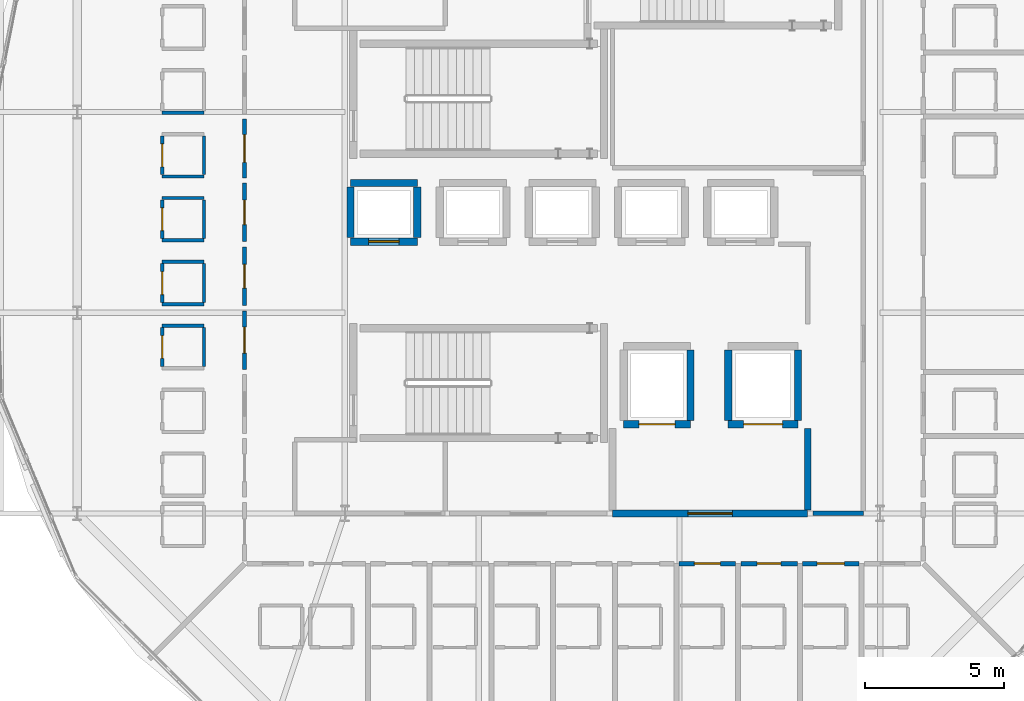
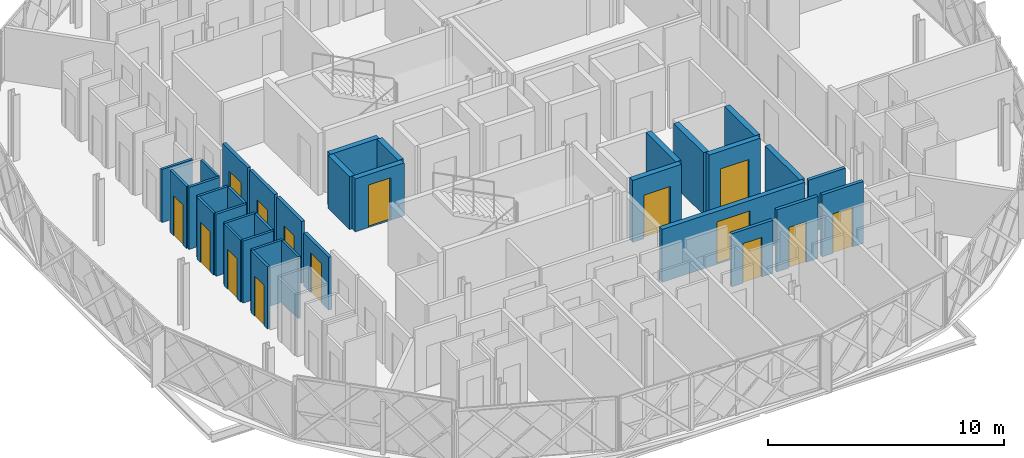
# One storey, part 30 of 40: 34 walls, 15 doors, 15 openings.
"""IFC4 building model written with IfcOpenShell, lengths in metres."""

from ifc_helpers import new_model, si_unit, direction, frame, frame_2d, origin, place, context, subcontext, project, spatial, rectangle, extrude, material, layer, layer_set, type_object, element, fill, save


model = new_model("IFC4")

# Units and contexts
model_context = context("Model", 3, precision=1e-05, world=origin(), true_north=direction((0.0, 1.0)))
body_context = subcontext(model_context, "Body", "Model", "MODEL_VIEW")
ifc_project = project(units=[si_unit("LENGTHUNIT", "METRE"), si_unit("AREAUNIT", "SQUARE_METRE"), si_unit("VOLUMEUNIT", "CUBIC_METRE"), si_unit("PLANEANGLEUNIT", "RADIAN"), si_unit("MASSUNIT", "GRAM", prefix="KILO")], contexts=[model_context])

# Site, building, storey
site_placement = place(None, origin())
site = spatial("IfcSite", under=ifc_project, at=site_placement, CompositionType="ELEMENT")
building_placement = place(site_placement, origin())
building = spatial("IfcBuilding", under=site, at=building_placement, Name="Zevrakil Square Congress Hotel", CompositionType="ELEMENT")
storey_placement = place(building_placement, frame((0.0, 0.0, 18.10009765625)))
storey = spatial("IfcBuildingStorey", under=building, at=storey_placement, Name="L05", CompositionType="ELEMENT", Elevation=18.10009765625)

# Wall, opening, door
ifc_material_1 = material(Name="Concrete C35/45", Category="concrete")
ifc_layer_1 = layer(ifc_material_1, 0.239990234375)
ifc_layer_set_1 = layer_set([ifc_layer_1], Name="Concrete C35/45")
wall_type_1 = type_object("IfcWallType", Name="WAL-COMP-240", PredefinedType="SOLIDWALL", material=ifc_layer_set_1)
wall_1_placement = place(storey_placement, frame((146.39990234375, 16.800048828125, 0.0), z_axis=(0.0, 0.0, 1.0), x_axis=(1.0, 0.0, 0.0)))
wall_1 = element("IfcWall", 1, at=wall_1_placement, inside=storey, type_object=wall_type_1, Name="L05 interior partition PW-L05-0455", PredefinedType="SOLIDWALL", context=body_context, shape_type="SweptSolid", body=[
    extrude(rectangle(XDim=7.0, YDim=0.239990234375, at=frame_2d((3.5, 0.0))), origin(), (0.0, 0.0, 1.0), 2.744873046875),
])
opening_1_placement = place(wall_1_placement, frame((2.699951171875, 0.0, 0.0)))
opening_1 = element("IfcOpeningElement", 2, at=opening_1_placement, cuts=wall_1, Name="Opening FD90-D", PredefinedType="OPENING", context=body_context, shape_type="SweptSolid", body=[
    extrude(rectangle(XDim=1.60009765625, YDim=2.199951171875, at=frame_2d((0.800048828125, 1.10009765625))), frame((0.0, 0.1298828125, 0.0), z_axis=(0.0, -1.0, 0.0), x_axis=(1.0, 0.0, 0.0)), (0.0, 0.0, 1.0), 0.260009765625),
])
ifc_material_2 = material(Name="Steel S355 Double Fire Door", Category="steel")
door_type_1 = type_object("IfcDoorType", Name="DOR-FFLOB-FD90-160", OperationType="NOTDEFINED", PredefinedType="DOOR", material=ifc_material_2)
door_1_placement = place(opening_1_placement, origin())
door_1 = element("IfcDoor", 3, at=door_1_placement, inside=storey, type_object=door_type_1, Name="L05 interior door 185", OperationType="DOUBLE_DOOR_SINGLE_SWING", OverallHeight=2.199951171875, OverallWidth=1.60009765625, PredefinedType="DOOR", context=body_context, shape_type="SweptSolid", body=[
    extrude(rectangle(XDim=1.60009765625, YDim=2.199951171875, at=frame_2d((0.800048828125, 1.10009765625))), frame((0.0, 0.02490234375, 0.0), z_axis=(0.0, -1.0, 0.0), x_axis=(1.0, 0.0, 0.0)), (0.0, 0.0, 1.0), 0.050048828125),
])
fill(opening_1, door_1)

# Walls
wall_2_placement = place(storey_placement, frame((153.39990234375, 16.925048828125, 0.0), z_axis=(0.0, 0.0, 1.0), x_axis=(0.0, 1.0, 0.0)))
element("IfcWall", 4, at=wall_2_placement, inside=storey, type_object=wall_type_1, Name="L05 interior partition PW-L05-0457", PredefinedType="SOLIDWALL", context=body_context, shape_type="SweptSolid", body=[
    extrude(rectangle(XDim=2.925048828125, YDim=0.239990234375, at=frame_2d((1.46240234375, 0.0))), origin(), (0.0, 0.0, 1.0), 2.744873046875),
])
ifc_material_3 = material(Name="Gypsum Acoustic Stud Partition")
ifc_layer_2 = layer(ifc_material_3, 0.159912109375)
ifc_layer_set_2 = layer_set([ifc_layer_2], Name="Gypsum Acoustic Stud Partition")
wall_type_2 = type_object("IfcWallType", Name="WAL-CORR-160", PredefinedType="PARTITIONING", material=ifc_layer_set_2)
wall_3_placement = place(storey_placement, frame((153.60009765625, 16.800048828125, 0.0), z_axis=(0.0, 0.0, 1.0), x_axis=(1.0, 0.0, 0.0)))
element("IfcWall", 5, at=wall_3_placement, inside=storey, type_object=wall_type_2, Name="L05 interior partition PW-L05-0471", PredefinedType="PARTITIONING", context=body_context, shape_type="SweptSolid", body=[
    extrude(rectangle(XDim=1.7998046875, YDim=0.159912109375, at=frame_2d((0.89990234375, 0.0))), origin(), (0.0, 0.0, 1.0), 2.744873046875),
])

# Wall, opening, door
wall_4_placement = place(storey_placement, frame((148.79052734375, 15.0, 0.0), z_axis=(0.0, 0.0, 1.0), x_axis=(1.0, 0.0, 0.0)))
wall_4 = element("IfcWall", 6, at=wall_4_placement, inside=storey, type_object=wall_type_2, Name="L05 interior partition PW-L05-0514", PredefinedType="PARTITIONING", context=body_context, shape_type="SweptSolid", body=[
    extrude(rectangle(XDim=2.023681640625, YDim=0.159912109375, at=frame_2d((1.01171875, 0.0))), origin(), (0.0, 0.0, 1.0), 2.744873046875),
])
opening_2_placement = place(wall_4_placement, frame((0.546875, 0.0, 0.0)))
opening_2 = element("IfcOpeningElement", 7, at=opening_2_placement, cuts=wall_4, Name="Opening ID-G04", PredefinedType="OPENING", context=body_context, shape_type="SweptSolid", body=[
    extrude(rectangle(XDim=0.929931640625, YDim=2.050048828125, at=frame_2d((0.46484375, 1.02490234375))), frame((0.0, 0.08984375, 0.0), z_axis=(0.0, -1.0, 0.0), x_axis=(1.0, 0.0, 0.0)), (0.0, 0.0, 1.0), 0.179931640625),
])
ifc_material_4 = material(Name="Acoustic Timber Fire Door", Category="wood")
door_type_2 = type_object("IfcDoorType", Name="DOR-INT-G04", OperationType="NOTDEFINED", PredefinedType="DOOR", material=ifc_material_4)
door_2_placement = place(opening_2_placement, origin())
door_2 = element("IfcDoor", 8, at=door_2_placement, inside=storey, type_object=door_type_2, Name="L05 interior door 206", OperationType="SINGLE_SWING_RIGHT", OverallHeight=2.050048828125, OverallWidth=0.929931640625, PredefinedType="DOOR", context=body_context, shape_type="SweptSolid", body=[
    extrude(rectangle(XDim=0.929931640625, YDim=2.050048828125, at=frame_2d((0.46484375, 1.02490234375))), frame((0.0, 0.02490234375, 0.0), z_axis=(0.0, -1.0, 0.0), x_axis=(1.0, 0.0, 0.0)), (0.0, 0.0, 1.0), 0.050048828125),
])
fill(opening_2, door_2)

wall_5_placement = place(storey_placement, frame((151.004150390625, 15.0, 0.0), z_axis=(0.0, 0.0, 1.0), x_axis=(1.0, 0.0, 0.0)))
wall_5 = element("IfcWall", 9, at=wall_5_placement, inside=storey, type_object=wall_type_2, Name="L05 interior partition PW-L05-0519", PredefinedType="PARTITIONING", context=body_context, shape_type="SweptSolid", body=[
    extrude(rectangle(XDim=2.0234375, YDim=0.159912109375, at=frame_2d((1.01171875, 0.0))), origin(), (0.0, 0.0, 1.0), 3.2099609375),
])
opening_3_placement = place(wall_5_placement, frame((0.585693359375, 0.0, 0.0)))
opening_3 = element("IfcOpeningElement", 10, at=opening_3_placement, cuts=wall_5, Name="Opening ID-H01", PredefinedType="OPENING", context=body_context, shape_type="SweptSolid", body=[
    extrude(rectangle(XDim=0.85205078125, YDim=2.10009765625, at=frame_2d((0.426025390625, 1.050048828125))), frame((0.0, 0.08984375, 0.0), z_axis=(0.0, -1.0, 0.0), x_axis=(1.0, 0.0, 0.0)), (0.0, 0.0, 1.0), 0.179931640625),
])
ifc_material_5 = material(Name="Acoustic Timber Fire Door", Category="wood")
door_type_3 = type_object("IfcDoorType", Name="DOR-INT-H01", OperationType="NOTDEFINED", PredefinedType="DOOR", material=ifc_material_5)
door_3_placement = place(opening_3_placement, origin())
door_3 = element("IfcDoor", 11, at=door_3_placement, inside=storey, type_object=door_type_3, Name="L05 interior door 208", OperationType="SINGLE_SWING_RIGHT", OverallHeight=2.10009765625, OverallWidth=0.85205078125, PredefinedType="DOOR", context=body_context, shape_type="SweptSolid", body=[
    extrude(rectangle(XDim=0.85205078125, YDim=2.10009765625, at=frame_2d((0.426025390625, 1.050048828125))), frame((0.0, 0.02490234375, 0.0), z_axis=(0.0, -1.0, 0.0), x_axis=(1.0, 0.0, 0.0)), (0.0, 0.0, 1.0), 0.050048828125),
])
fill(opening_3, door_3)

wall_6_placement = place(storey_placement, frame((153.2177734375, 15.0, 0.0), z_axis=(0.0, 0.0, 1.0), x_axis=(1.0, 0.0, 0.0)))
wall_6 = element("IfcWall", 12, at=wall_6_placement, inside=storey, type_object=wall_type_2, Name="L05 interior partition PW-L05-0524", PredefinedType="PARTITIONING", context=body_context, shape_type="SweptSolid", body=[
    extrude(rectangle(XDim=2.023681640625, YDim=0.159912109375, at=frame_2d((1.01171875, 0.0))), origin(), (0.0, 0.0, 1.0), 3.2099609375),
])
opening_4_placement = place(wall_6_placement, frame((0.521728515625, 0.0, 0.0)))
opening_4 = element("IfcOpeningElement", 13, at=opening_4_placement, cuts=wall_6, Name="Opening ID-G06", PredefinedType="OPENING", context=body_context, shape_type="SweptSolid", body=[
    extrude(rectangle(XDim=0.97998046875, YDim=2.050048828125, at=frame_2d((0.489990234375, 1.02490234375))), frame((0.0, 0.08984375, 0.0), z_axis=(0.0, -1.0, 0.0), x_axis=(1.0, 0.0, 0.0)), (0.0, 0.0, 1.0), 0.179931640625),
])
ifc_material_6 = material(Name="Acoustic Timber Fire Door", Category="wood")
door_type_4 = type_object("IfcDoorType", Name="DOR-INT-G06", OperationType="NOTDEFINED", PredefinedType="DOOR", material=ifc_material_6)
door_4_placement = place(opening_4_placement, origin())
door_4 = element("IfcDoor", 14, at=door_4_placement, inside=storey, type_object=door_type_4, Name="L05 interior door 210", OperationType="SINGLE_SWING_RIGHT", OverallHeight=2.050048828125, OverallWidth=0.97998046875, PredefinedType="DOOR", context=body_context, shape_type="SweptSolid", body=[
    extrude(rectangle(XDim=0.97998046875, YDim=2.050048828125, at=frame_2d((0.489990234375, 1.02490234375))), frame((0.0, 0.02490234375, 0.0), z_axis=(0.0, -1.0, 0.0), x_axis=(1.0, 0.0, 0.0)), (0.0, 0.0, 1.0), 0.050048828125),
])
fill(opening_4, door_4)

wall_7_placement = place(storey_placement, frame((133.199951171875, 28.840576171875, 0.0), z_axis=(0.0, 0.0, 1.0), x_axis=(0.0, 1.0, 0.0)))
wall_7 = element("IfcWall", 15, at=wall_7_placement, inside=storey, type_object=wall_type_2, Name="L05 interior partition PW-L05-0652", PredefinedType="PARTITIONING", context=body_context, shape_type="SweptSolid", body=[
    extrude(rectangle(XDim=2.100830078125, YDim=0.159912109375, at=frame_2d((1.05029296875, 0.0))), origin(), (0.0, 0.0, 1.0), 3.2099609375),
])
opening_5_placement = place(wall_7_placement, frame((0.552490234375, 0.0, 0.0)))
opening_5 = element("IfcOpeningElement", 16, at=opening_5_placement, cuts=wall_7, Name="Opening ID-H13", PredefinedType="OPENING", context=body_context, shape_type="SweptSolid", body=[
    extrude(rectangle(XDim=0.99609375, YDim=2.10009765625, at=frame_2d((0.498046875, 1.050048828125))), frame((0.0, 0.08984375, 0.0), z_axis=(0.0, -1.0, 0.0), x_axis=(1.0, 0.0, 0.0)), (0.0, 0.0, 1.0), 0.179931640625),
])
ifc_material_7 = material(Name="Acoustic Timber Fire Door", Category="wood")
door_type_5 = type_object("IfcDoorType", Name="DOR-INT-H13", OperationType="NOTDEFINED", PredefinedType="DOOR", material=ifc_material_7)
door_5_placement = place(opening_5_placement, origin())
door_5 = element("IfcDoor", 17, at=door_5_placement, inside=storey, type_object=door_type_5, Name="L05 interior door 260", OperationType="SINGLE_SWING_RIGHT", OverallHeight=2.10009765625, OverallWidth=0.99609375, PredefinedType="DOOR", context=body_context, shape_type="SweptSolid", body=[
    extrude(rectangle(XDim=0.99609375, YDim=2.10009765625, at=frame_2d((0.498046875, 1.050048828125))), frame((0.0, 0.02490234375, 0.0), z_axis=(0.0, -1.0, 0.0), x_axis=(1.0, 0.0, 0.0)), (0.0, 0.0, 1.0), 0.050048828125),
])
fill(opening_5, door_5)

wall_8_placement = place(storey_placement, frame((133.199951171875, 26.549560546875, 0.0), z_axis=(0.0, 0.0, 1.0), x_axis=(0.0, 1.0, 0.0)))
wall_8 = element("IfcWall", 18, at=wall_8_placement, inside=storey, type_object=wall_type_2, Name="L05 interior partition PW-L05-0657", PredefinedType="PARTITIONING", context=body_context, shape_type="SweptSolid", body=[
    extrude(rectangle(XDim=2.100830078125, YDim=0.159912109375, at=frame_2d((1.05029296875, 0.0))), origin(), (0.0, 0.0, 1.0), 3.2099609375),
])
opening_6_placement = place(wall_8_placement, frame((0.6103515625, 0.0, 0.0)))
opening_6 = element("IfcOpeningElement", 19, at=opening_6_placement, cuts=wall_8, Name="Opening ID-G02", PredefinedType="OPENING", context=body_context, shape_type="SweptSolid", body=[
    extrude(rectangle(XDim=0.8798828125, YDim=2.050048828125, at=frame_2d((0.43994140625, 1.02490234375))), frame((0.0, 0.08984375, 0.0), z_axis=(0.0, -1.0, 0.0), x_axis=(1.0, 0.0, 0.0)), (0.0, 0.0, 1.0), 0.179931640625),
])
ifc_material_8 = material(Name="Acoustic Timber Fire Door", Category="wood")
door_type_6 = type_object("IfcDoorType", Name="DOR-INT-G02", OperationType="NOTDEFINED", PredefinedType="DOOR", material=ifc_material_8)
door_6_placement = place(opening_6_placement, origin())
door_6 = element("IfcDoor", 20, at=door_6_placement, inside=storey, type_object=door_type_6, Name="L05 interior door 262", OperationType="SINGLE_SWING_RIGHT", OverallHeight=2.050048828125, OverallWidth=0.8798828125, PredefinedType="DOOR", context=body_context, shape_type="SweptSolid", body=[
    extrude(rectangle(XDim=0.8798828125, YDim=2.050048828125, at=frame_2d((0.43994140625, 1.02490234375))), frame((0.0, 0.02490234375, 0.0), z_axis=(0.0, -1.0, 0.0), x_axis=(1.0, 0.0, 0.0)), (0.0, 0.0, 1.0), 0.050048828125),
])
fill(opening_6, door_6)

wall_9_placement = place(storey_placement, frame((133.199951171875, 24.258544921875, 0.0), z_axis=(0.0, 0.0, 1.0), x_axis=(0.0, 1.0, 0.0)))
wall_9 = element("IfcWall", 21, at=wall_9_placement, inside=storey, type_object=wall_type_2, Name="L05 interior partition PW-L05-0662", PredefinedType="PARTITIONING", context=body_context, shape_type="SweptSolid", body=[
    extrude(rectangle(XDim=2.10107421875, YDim=0.159912109375, at=frame_2d((1.050537109375, 0.0))), origin(), (0.0, 0.0, 1.0), 3.2099609375),
])
opening_7_placement = place(wall_9_placement, frame((0.62451171875, 0.0, 0.0)))
opening_7 = element("IfcOpeningElement", 22, at=opening_7_placement, cuts=wall_9, Name="Opening ID-H01", PredefinedType="OPENING", context=body_context, shape_type="SweptSolid", body=[
    extrude(rectangle(XDim=0.85205078125, YDim=2.10009765625, at=frame_2d((0.426025390625, 1.050048828125))), frame((0.0, 0.08984375, 0.0), z_axis=(0.0, -1.0, 0.0), x_axis=(1.0, 0.0, 0.0)), (0.0, 0.0, 1.0), 0.179931640625),
])
door_7_placement = place(opening_7_placement, origin())
door_7 = element("IfcDoor", 23, at=door_7_placement, inside=storey, type_object=door_type_3, Name="L05 interior door 264", OperationType="SINGLE_SWING_RIGHT", OverallHeight=2.10009765625, OverallWidth=0.85205078125, PredefinedType="DOOR", context=body_context, shape_type="SweptSolid", body=[
    extrude(rectangle(XDim=0.85205078125, YDim=2.10009765625, at=frame_2d((0.426025390625, 1.050048828125))), frame((0.0, 0.02490234375, 0.0), z_axis=(0.0, -1.0, 0.0), x_axis=(1.0, 0.0, 0.0)), (0.0, 0.0, 1.0), 0.050048828125),
])
fill(opening_7, door_7)

wall_10_placement = place(storey_placement, frame((133.199951171875, 21.9677734375, 0.0), z_axis=(0.0, 0.0, 1.0), x_axis=(0.0, 1.0, 0.0)))
wall_10 = element("IfcWall", 24, at=wall_10_placement, inside=storey, type_object=wall_type_2, Name="L05 interior partition PW-L05-0667", PredefinedType="PARTITIONING", context=body_context, shape_type="SweptSolid", body=[
    extrude(rectangle(XDim=2.100830078125, YDim=0.159912109375, at=frame_2d((1.05029296875, 0.0))), origin(), (0.0, 0.0, 1.0), 2.744873046875),
])
opening_8_placement = place(wall_10_placement, frame((0.58544921875, 0.0, 0.0)))
opening_8 = element("IfcOpeningElement", 25, at=opening_8_placement, cuts=wall_10, Name="Opening ID-G04", PredefinedType="OPENING", context=body_context, shape_type="SweptSolid", body=[
    extrude(rectangle(XDim=0.929931640625, YDim=2.050048828125, at=frame_2d((0.46484375, 1.02490234375))), frame((0.0, 0.08984375, 0.0), z_axis=(0.0, -1.0, 0.0), x_axis=(1.0, 0.0, 0.0)), (0.0, 0.0, 1.0), 0.179931640625),
])
door_8_placement = place(opening_8_placement, origin())
door_8 = element("IfcDoor", 26, at=door_8_placement, inside=storey, type_object=door_type_2, Name="L05 interior door 266", OperationType="SINGLE_SWING_RIGHT", OverallHeight=2.050048828125, OverallWidth=0.929931640625, PredefinedType="DOOR", context=body_context, shape_type="SweptSolid", body=[
    extrude(rectangle(XDim=0.929931640625, YDim=2.050048828125, at=frame_2d((0.46484375, 1.02490234375))), frame((0.0, 0.02490234375, 0.0), z_axis=(0.0, -1.0, 0.0), x_axis=(1.0, 0.0, 0.0)), (0.0, 0.0, 1.0), 0.050048828125),
])
fill(opening_8, door_8)

# Walls
ifc_material_9 = material(Name="Moisture-Resistant Gypsum Partition")
ifc_layer_3 = layer(ifc_material_9, 0.1201171875)
ifc_layer_set_3 = layer_set([ifc_layer_3], Name="Moisture-Resistant Gypsum Partition")
wall_type_3 = type_object("IfcWallType", Name="WAL-ENS-120", PredefinedType="PARTITIONING", material=ifc_layer_set_3)
wall_11_placement = place(storey_placement, frame((130.25, 31.176513671875, 0.0), z_axis=(0.0, 0.0, 1.0), x_axis=(1.0, 0.0, 0.0)))
element("IfcWall", 27, at=wall_11_placement, inside=storey, type_object=wall_type_3, Name="L05 interior partition PW-L05-0648", PredefinedType="PARTITIONING", context=body_context, shape_type="SweptSolid", body=[
    extrude(rectangle(XDim=1.5, YDim=0.1201171875, at=frame_2d((0.75, 0.0))), origin(), (0.0, 0.0, 1.0), 2.744873046875),
])
wall_12_placement = place(storey_placement, frame((130.25, 28.885498046875, 0.0), z_axis=(0.0, 0.0, 1.0), x_axis=(1.0, 0.0, 0.0)))
element("IfcWall", 28, at=wall_12_placement, inside=storey, type_object=wall_type_3, Name="L05 interior partition PW-L05-0653", PredefinedType="PARTITIONING", context=body_context, shape_type="SweptSolid", body=[
    extrude(rectangle(XDim=1.5, YDim=0.1201171875, at=frame_2d((0.75, 0.0))), origin(), (0.0, 0.0, 1.0), 3.2099609375),
])

# Wall, opening, door
wall_13_placement = place(storey_placement, frame((130.25, 28.950439453125, 0.0), z_axis=(0.0, 0.0, 1.0), x_axis=(0.0, 1.0, 0.0)))
wall_13 = element("IfcWall", 29, at=wall_13_placement, inside=storey, type_object=wall_type_3, Name="L05 interior partition PW-L05-0655", PredefinedType="PARTITIONING", context=body_context, shape_type="SweptSolid", body=[
    extrude(rectangle(XDim=1.39013671875, YDim=0.1201171875, at=frame_2d((0.695068359375, 0.0))), origin(), (0.0, 0.0, 1.0), 3.2099609375),
])
opening_9_placement = place(wall_13_placement, frame((0.284912109375, 0.0, 0.0)))
opening_9 = element("IfcOpeningElement", 30, at=opening_9_placement, cuts=wall_13, Name="Opening ID-11", PredefinedType="OPENING", context=body_context, shape_type="SweptSolid", body=[
    extrude(rectangle(XDim=0.820068359375, YDim=2.080078125, at=frame_2d((0.41015625, 1.0400390625))), frame((0.0, 0.070068359375, 0.0), z_axis=(0.0, -1.0, 0.0), x_axis=(1.0, 0.0, 0.0)), (0.0, 0.0, 1.0), 0.14013671875),
])
ifc_material_10 = material(Name="Acoustic Timber Door", Category="wood")
door_type_7 = type_object("IfcDoorType", Name="DOR-INT-V01", OperationType="NOTDEFINED", PredefinedType="DOOR", material=ifc_material_10)
door_9_placement = place(opening_9_placement, origin())
door_9 = element("IfcDoor", 31, at=door_9_placement, inside=storey, type_object=door_type_7, Name="L05 interior door 261", OperationType="SINGLE_SWING_LEFT", OverallHeight=2.080078125, OverallWidth=0.820068359375, PredefinedType="DOOR", context=body_context, shape_type="SweptSolid", body=[
    extrude(rectangle(XDim=0.820068359375, YDim=2.080078125, at=frame_2d((0.41015625, 1.0400390625))), frame((0.0, 0.02490234375, 0.0), z_axis=(0.0, -1.0, 0.0), x_axis=(1.0, 0.0, 0.0)), (0.0, 0.0, 1.0), 0.050048828125),
])
fill(opening_9, door_9)

# Walls
wall_14_placement = place(storey_placement, frame((131.75, 28.950439453125, 0.0), z_axis=(0.0, 0.0, 1.0), x_axis=(0.0, 1.0, 0.0)))
element("IfcWall", 32, at=wall_14_placement, inside=storey, type_object=wall_type_3, Name="L05 interior partition PW-L05-0656", PredefinedType="PARTITIONING", context=body_context, shape_type="SweptSolid", body=[
    extrude(rectangle(XDim=1.39013671875, YDim=0.1201171875, at=frame_2d((0.695068359375, 0.0))), origin(), (0.0, 0.0, 1.0), 3.2099609375),
])
for number, where, z_axis, x_axis, name in (
    (33, (130.25, 26.594482421875, 0.0), (0.0, 0.0, 1.0), (1.0, 0.0, 0.0), "L05 interior partition PW-L05-0658"),
    (34, (130.25, 28.114501953125, 0.0), (0.0, 0.0, 1.0), (1.0, 0.0, 0.0), "L05 interior partition PW-L05-0659"),
):
    element("IfcWall", number, at=place(storey_placement, frame(where, z_axis=z_axis, x_axis=x_axis)), inside=storey, type_object=wall_type_3, Name=name, PredefinedType="PARTITIONING", context=body_context, shape_type="SweptSolid", body=[
        extrude(rectangle(XDim=1.5, YDim=0.1201171875, at=frame_2d((0.75, 0.0))), origin(), (0.0, 0.0, 1.0), 3.2099609375),
    ])

# Wall, opening, door
wall_15_placement = place(storey_placement, frame((130.25, 26.65966796875, 0.0), z_axis=(0.0, 0.0, 1.0), x_axis=(0.0, 1.0, 0.0)))
wall_15 = element("IfcWall", 35, at=wall_15_placement, inside=storey, type_object=wall_type_3, Name="L05 interior partition PW-L05-0660", PredefinedType="PARTITIONING", context=body_context, shape_type="SweptSolid", body=[
    extrude(rectangle(XDim=1.389892578125, YDim=0.1201171875, at=frame_2d((0.69482421875, 0.0))), origin(), (0.0, 0.0, 1.0), 3.2099609375),
])
opening_10_placement = place(wall_15_placement, frame((0.284912109375, 0.0, 0.0)))
opening_10 = element("IfcOpeningElement", 36, at=opening_10_placement, cuts=wall_15, Name="Opening ID-11", PredefinedType="OPENING", context=body_context, shape_type="SweptSolid", body=[
    extrude(rectangle(XDim=0.820068359375, YDim=2.080078125, at=frame_2d((0.41015625, 1.0400390625))), frame((0.0, 0.070068359375, 0.0), z_axis=(0.0, -1.0, 0.0), x_axis=(1.0, 0.0, 0.0)), (0.0, 0.0, 1.0), 0.14013671875),
])
door_10_placement = place(opening_10_placement, origin())
door_10 = element("IfcDoor", 37, at=door_10_placement, inside=storey, type_object=door_type_7, Name="L05 interior door 263", OperationType="SINGLE_SWING_LEFT", OverallHeight=2.080078125, OverallWidth=0.820068359375, PredefinedType="DOOR", context=body_context, shape_type="SweptSolid", body=[
    extrude(rectangle(XDim=0.820068359375, YDim=2.080078125, at=frame_2d((0.41015625, 1.0400390625))), frame((0.0, 0.02490234375, 0.0), z_axis=(0.0, -1.0, 0.0), x_axis=(1.0, 0.0, 0.0)), (0.0, 0.0, 1.0), 0.050048828125),
])
fill(opening_10, door_10)

# Walls
wall_16_placement = place(storey_placement, frame((131.75, 26.65966796875, 0.0), z_axis=(0.0, 0.0, 1.0), x_axis=(0.0, 1.0, 0.0)))
element("IfcWall", 38, at=wall_16_placement, inside=storey, type_object=wall_type_3, Name="L05 interior partition PW-L05-0661", PredefinedType="PARTITIONING", context=body_context, shape_type="SweptSolid", body=[
    extrude(rectangle(XDim=1.389892578125, YDim=0.1201171875, at=frame_2d((0.69482421875, 0.0))), origin(), (0.0, 0.0, 1.0), 3.2099609375),
])
for number, where, z_axis, x_axis, name in (
    (39, (130.25, 24.3037109375, 0.0), (0.0, 0.0, 1.0), (1.0, 0.0, 0.0), "L05 interior partition PW-L05-0663"),
    (40, (130.25, 25.823486328125, 0.0), (0.0, 0.0, 1.0), (1.0, 0.0, 0.0), "L05 interior partition PW-L05-0664"),
):
    element("IfcWall", number, at=place(storey_placement, frame(where, z_axis=z_axis, x_axis=x_axis)), inside=storey, type_object=wall_type_3, Name=name, PredefinedType="PARTITIONING", context=body_context, shape_type="SweptSolid", body=[
        extrude(rectangle(XDim=1.5, YDim=0.1201171875, at=frame_2d((0.75, 0.0))), origin(), (0.0, 0.0, 1.0), 3.2099609375),
    ])

# Wall, opening, door
wall_17_placement = place(storey_placement, frame((130.25, 24.36865234375, 0.0), z_axis=(0.0, 0.0, 1.0), x_axis=(0.0, 1.0, 0.0)))
wall_17 = element("IfcWall", 41, at=wall_17_placement, inside=storey, type_object=wall_type_3, Name="L05 interior partition PW-L05-0665", PredefinedType="PARTITIONING", context=body_context, shape_type="SweptSolid", body=[
    extrude(rectangle(XDim=1.389892578125, YDim=0.1201171875, at=frame_2d((0.69482421875, 0.0))), origin(), (0.0, 0.0, 1.0), 3.2099609375),
])
opening_11_placement = place(wall_17_placement, frame((0.284912109375, 0.0, 0.0)))
opening_11 = element("IfcOpeningElement", 42, at=opening_11_placement, cuts=wall_17, Name="Opening ID-11", PredefinedType="OPENING", context=body_context, shape_type="SweptSolid", body=[
    extrude(rectangle(XDim=0.820068359375, YDim=2.080078125, at=frame_2d((0.41015625, 1.0400390625))), frame((0.0, 0.070068359375, 0.0), z_axis=(0.0, -1.0, 0.0), x_axis=(1.0, 0.0, 0.0)), (0.0, 0.0, 1.0), 0.14013671875),
])
door_11_placement = place(opening_11_placement, origin())
door_11 = element("IfcDoor", 43, at=door_11_placement, inside=storey, type_object=door_type_7, Name="L05 interior door 265", OperationType="SINGLE_SWING_LEFT", OverallHeight=2.080078125, OverallWidth=0.820068359375, PredefinedType="DOOR", context=body_context, shape_type="SweptSolid", body=[
    extrude(rectangle(XDim=0.820068359375, YDim=2.080078125, at=frame_2d((0.41015625, 1.0400390625))), frame((0.0, 0.02490234375, 0.0), z_axis=(0.0, -1.0, 0.0), x_axis=(1.0, 0.0, 0.0)), (0.0, 0.0, 1.0), 0.050048828125),
])
fill(opening_11, door_11)

# Walls
wall_18_placement = place(storey_placement, frame((131.75, 24.36865234375, 0.0), z_axis=(0.0, 0.0, 1.0), x_axis=(0.0, 1.0, 0.0)))
element("IfcWall", 44, at=wall_18_placement, inside=storey, type_object=wall_type_3, Name="L05 interior partition PW-L05-0666", PredefinedType="PARTITIONING", context=body_context, shape_type="SweptSolid", body=[
    extrude(rectangle(XDim=1.389892578125, YDim=0.1201171875, at=frame_2d((0.69482421875, 0.0))), origin(), (0.0, 0.0, 1.0), 3.2099609375),
])
wall_19_placement = place(storey_placement, frame((130.25, 23.53271484375, 0.0), z_axis=(0.0, 0.0, 1.0), x_axis=(1.0, 0.0, 0.0)))
element("IfcWall", 45, at=wall_19_placement, inside=storey, type_object=wall_type_3, Name="L05 interior partition PW-L05-0669", PredefinedType="PARTITIONING", context=body_context, shape_type="SweptSolid", body=[
    extrude(rectangle(XDim=1.5, YDim=0.1201171875, at=frame_2d((0.75, 0.0))), origin(), (0.0, 0.0, 1.0), 3.2099609375),
])

# Wall, opening, door
wall_20_placement = place(storey_placement, frame((130.25, 22.07763671875, 0.0), z_axis=(0.0, 0.0, 1.0), x_axis=(0.0, 1.0, 0.0)))
wall_20 = element("IfcWall", 46, at=wall_20_placement, inside=storey, type_object=wall_type_3, Name="L05 interior partition PW-L05-0670", PredefinedType="PARTITIONING", context=body_context, shape_type="SweptSolid", body=[
    extrude(rectangle(XDim=1.39013671875, YDim=0.1201171875, at=frame_2d((0.695068359375, 0.0))), origin(), (0.0, 0.0, 1.0), 3.2099609375),
])
opening_12_placement = place(wall_20_placement, frame((0.284912109375, 0.0, 0.0)))
opening_12 = element("IfcOpeningElement", 47, at=opening_12_placement, cuts=wall_20, Name="Opening ID-11", PredefinedType="OPENING", context=body_context, shape_type="SweptSolid", body=[
    extrude(rectangle(XDim=0.820068359375, YDim=2.080078125, at=frame_2d((0.41015625, 1.0400390625))), frame((0.0, 0.070068359375, 0.0), z_axis=(0.0, -1.0, 0.0), x_axis=(1.0, 0.0, 0.0)), (0.0, 0.0, 1.0), 0.14013671875),
])
door_12_placement = place(opening_12_placement, origin())
door_12 = element("IfcDoor", 48, at=door_12_placement, inside=storey, type_object=door_type_7, Name="L05 interior door 267", OperationType="SINGLE_SWING_LEFT", OverallHeight=2.080078125, OverallWidth=0.820068359375, PredefinedType="DOOR", context=body_context, shape_type="SweptSolid", body=[
    extrude(rectangle(XDim=0.820068359375, YDim=2.080078125, at=frame_2d((0.41015625, 1.0400390625))), frame((0.0, 0.02490234375, 0.0), z_axis=(0.0, -1.0, 0.0), x_axis=(1.0, 0.0, 0.0)), (0.0, 0.0, 1.0), 0.050048828125),
])
fill(opening_12, door_12)

# Wall
wall_21_placement = place(storey_placement, frame((131.75, 22.07763671875, 0.0), z_axis=(0.0, 0.0, 1.0), x_axis=(0.0, 1.0, 0.0)))
element("IfcWall", 49, at=wall_21_placement, inside=storey, type_object=wall_type_3, Name="L05 interior partition PW-L05-0671", PredefinedType="PARTITIONING", context=body_context, shape_type="SweptSolid", body=[
    extrude(rectangle(XDim=1.39013671875, YDim=0.1201171875, at=frame_2d((0.695068359375, 0.0))), origin(), (0.0, 0.0, 1.0), 3.2099609375),
])

# Wall, opening, door
ifc_material_11 = material(Name="Concrete C40/50", Category="concrete")
ifc_layer_4 = layer(ifc_material_11, 0.260009765625)
ifc_layer_set_4 = layer_set([ifc_layer_4], Name="Concrete C40/50")
wall_type_4 = type_object("IfcWallType", Name="WAL-SHAFT-260", PredefinedType="SHEAR", material=ifc_layer_set_4)
wall_22_placement = place(storey_placement, frame((137.0, 26.550048828125, 0.0), z_axis=(0.0, 0.0, 1.0), x_axis=(1.0, 0.0, 0.0)))
wall_22 = element("IfcWall", 50, at=wall_22_placement, inside=storey, type_object=wall_type_4, Name="L05 HL1 lift shaft wall", PredefinedType="SHEAR", context=body_context, shape_type="SweptSolid", body=[
    extrude(rectangle(XDim=2.39990234375, YDim=0.260009765625, at=frame_2d((1.199951171875, 0.0))), origin(), (0.0, 0.0, 1.0), 2.744873046875),
])
opening_13_placement = place(wall_22_placement, frame((0.64990234375, 0.0, 0.0)))
opening_13 = element("IfcOpeningElement", 51, at=opening_13_placement, cuts=wall_22, Name="Opening LD-HL1", PredefinedType="OPENING", context=body_context, shape_type="SweptSolid", body=[
    extrude(rectangle(XDim=1.10009765625, YDim=2.199951171875, at=frame_2d((0.550048828125, 1.10009765625))), frame((0.0, 0.14013671875, 0.0), z_axis=(0.0, -1.0, 0.0), x_axis=(1.0, 0.0, 0.0)), (0.0, 0.0, 1.0), 0.280029296875),
])
ifc_material_12 = material(Name="Stainless Steel Sliding Lift Landing Door", Category="steel")
door_type_8 = type_object("IfcDoorType", Name="DOR-LIFT-LD110", OperationType="NOTDEFINED", PredefinedType="DOOR", material=ifc_material_12)
door_13_placement = place(opening_13_placement, origin())
door_13 = element("IfcDoor", 52, at=door_13_placement, inside=storey, type_object=door_type_8, Name="L05 HL1 sliding lift landing door", OperationType="SLIDING_TO_LEFT", OverallHeight=2.199951171875, OverallWidth=1.10009765625, PredefinedType="DOOR", context=body_context, shape_type="SweptSolid", body=[
    extrude(rectangle(XDim=1.10009765625, YDim=2.199951171875, at=frame_2d((0.550048828125, 1.10009765625))), frame((0.0, 0.02490234375, 0.0), z_axis=(0.0, -1.0, 0.0), x_axis=(1.0, 0.0, 0.0)), (0.0, 0.0, 1.0), 0.050048828125),
])
fill(opening_13, door_13)

# Walls
wall_23_placement = place(storey_placement, frame((137.0, 28.64990234375, 0.0), z_axis=(0.0, 0.0, 1.0), x_axis=(1.0, 0.0, 0.0)))
element("IfcWall", 53, at=wall_23_placement, inside=storey, type_object=wall_type_4, Name="L05 HL1 lift shaft wall", PredefinedType="SHEAR", context=body_context, shape_type="SweptSolid", body=[
    extrude(rectangle(XDim=2.39990234375, YDim=0.260009765625, at=frame_2d((1.199951171875, 0.0))), origin(), (0.0, 0.0, 1.0), 2.744873046875),
])
for number, where, z_axis, x_axis, name in (
    (54, (137.0, 26.68994140625, 0.0), (0.0, 0.0, 1.0), (0.0, 1.0, 0.0), "L05 HL1 lift shaft wall"),
    (55, (139.39990234375, 26.68994140625, 0.0), (0.0, 0.0, 1.0), (0.0, 1.0, 0.0), "L05 HL1 lift shaft wall"),
):
    element("IfcWall", number, at=place(storey_placement, frame(where, z_axis=z_axis, x_axis=x_axis)), inside=storey, type_object=wall_type_4, Name=name, PredefinedType="SHEAR", context=body_context, shape_type="SweptSolid", body=[
        extrude(rectangle(XDim=1.820068359375, YDim=0.260009765625, at=frame_2d((0.91015625, 0.0))), origin(), (0.0, 0.0, 1.0), 2.744873046875),
    ])

# Wall, opening, door
wall_24_placement = place(storey_placement, frame((146.800048828125, 20.0, 0.0), z_axis=(0.0, 0.0, 1.0), x_axis=(1.0, 0.0, 0.0)))
wall_24 = element("IfcWall", 56, at=wall_24_placement, inside=storey, type_object=wall_type_4, Name="L05 FFL1 lift shaft wall", PredefinedType="SHEAR", context=body_context, shape_type="SweptSolid", body=[
    extrude(rectangle(XDim=2.39990234375, YDim=0.260009765625, at=frame_2d((1.199951171875, 0.0))), origin(), (0.0, 0.0, 1.0), 3.2099609375),
])
opening_14_placement = place(wall_24_placement, frame((0.550048828125, 0.0, 0.0)))
opening_14 = element("IfcOpeningElement", 57, at=opening_14_placement, cuts=wall_24, Name="Opening LD-FFL1", PredefinedType="OPENING", context=body_context, shape_type="SweptSolid", body=[
    extrude(rectangle(XDim=1.300048828125, YDim=2.25, at=frame_2d((0.64990234375, 1.125))), frame((0.0, 0.14013671875, 0.0), z_axis=(0.0, -1.0, 0.0), x_axis=(1.0, 0.0, 0.0)), (0.0, 0.0, 1.0), 0.280029296875),
])
ifc_material_13 = material(Name="Stretcher Firefighting Sliding Landing Door")
door_type_9 = type_object("IfcDoorType", Name="DOR-LIFT-LD130", OperationType="NOTDEFINED", PredefinedType="DOOR", material=ifc_material_13)
door_14_placement = place(opening_14_placement, origin())
door_14 = element("IfcDoor", 58, at=door_14_placement, inside=storey, type_object=door_type_9, Name="L05 FFL1 sliding lift landing door", OperationType="SLIDING_TO_RIGHT", OverallHeight=2.25, OverallWidth=1.300048828125, PredefinedType="DOOR", context=body_context, shape_type="SweptSolid", body=[
    extrude(rectangle(XDim=1.300048828125, YDim=2.25, at=frame_2d((0.64990234375, 1.125))), frame((0.0, 0.02490234375, 0.0), z_axis=(0.0, -1.0, 0.0), x_axis=(1.0, 0.0, 0.0)), (0.0, 0.0, 1.0), 0.050048828125),
])
fill(opening_14, door_14)

# Wall
wall_25_placement = place(storey_placement, frame((149.199951171875, 20.139892578125, 0.0), z_axis=(0.0, 0.0, 1.0), x_axis=(0.0, 1.0, 0.0)))
element("IfcWall", 59, at=wall_25_placement, inside=storey, type_object=wall_type_4, Name="L05 FFL1 lift shaft wall", PredefinedType="SHEAR", context=body_context, shape_type="SweptSolid", body=[
    extrude(rectangle(XDim=2.52001953125, YDim=0.260009765625, at=frame_2d((1.260009765625, 0.0))), origin(), (0.0, 0.0, 1.0), 3.2099609375),
])

# Wall, opening, door
wall_26_placement = place(storey_placement, frame((150.550048828125, 20.0, 0.0), z_axis=(0.0, 0.0, 1.0), x_axis=(1.0, 0.0, 0.0)))
wall_26 = element("IfcWall", 60, at=wall_26_placement, inside=storey, type_object=wall_type_4, Name="L05 SL1 lift shaft wall", PredefinedType="SHEAR", context=body_context, shape_type="SweptSolid", body=[
    extrude(rectangle(XDim=2.5, YDim=0.260009765625, at=frame_2d((1.25, 0.0))), origin(), (0.0, 0.0, 1.0), 3.2099609375),
])
opening_15_placement = place(wall_26_placement, frame((0.550048828125, 0.0, 0.0)))
opening_15 = element("IfcOpeningElement", 61, at=opening_15_placement, cuts=wall_26, Name="Opening LD-SL1", PredefinedType="OPENING", context=body_context, shape_type="SweptSolid", body=[
    extrude(rectangle(XDim=1.39990234375, YDim=2.300048828125, at=frame_2d((0.699951171875, 1.14990234375))), frame((0.0, 0.14013671875, 0.0), z_axis=(0.0, -1.0, 0.0), x_axis=(1.0, 0.0, 0.0)), (0.0, 0.0, 1.0), 0.280029296875),
])
ifc_material_14 = material(Name="Goods Service Sliding Landing Door")
door_type_10 = type_object("IfcDoorType", Name="DOR-LIFT-LD140", OperationType="NOTDEFINED", PredefinedType="DOOR", material=ifc_material_14)
door_15_placement = place(opening_15_placement, origin())
door_15 = element("IfcDoor", 62, at=door_15_placement, inside=storey, type_object=door_type_10, Name="L05 SL1 sliding lift landing door", OperationType="SLIDING_TO_LEFT", OverallHeight=2.300048828125, OverallWidth=1.39990234375, PredefinedType="DOOR", context=body_context, shape_type="SweptSolid", body=[
    extrude(rectangle(XDim=1.39990234375, YDim=2.300048828125, at=frame_2d((0.699951171875, 1.14990234375))), frame((0.0, 0.02490234375, 0.0), z_axis=(0.0, -1.0, 0.0), x_axis=(1.0, 0.0, 0.0)), (0.0, 0.0, 1.0), 0.050048828125),
])
fill(opening_15, door_15)

# Walls
for number, where, z_axis, x_axis, name in (
    (63, (150.550048828125, 20.139892578125, 0.0), (0.0, 0.0, 1.0), (0.0, 1.0, 0.0), "L05 SL1 lift shaft wall"),
    (64, (153.050048828125, 20.139892578125, 0.0), (0.0, 0.0, 1.0), (0.0, 1.0, 0.0), "L05 SL1 lift shaft wall"),
):
    element("IfcWall", number, at=place(storey_placement, frame(where, z_axis=z_axis, x_axis=x_axis)), inside=storey, type_object=wall_type_4, Name=name, PredefinedType="SHEAR", context=body_context, shape_type="SweptSolid", body=[
        extrude(rectangle(XDim=2.52001953125, YDim=0.260009765625, at=frame_2d((1.260009765625, 0.0))), origin(), (0.0, 0.0, 1.0), 3.2099609375),
    ])

save(model, "model.ifc")
